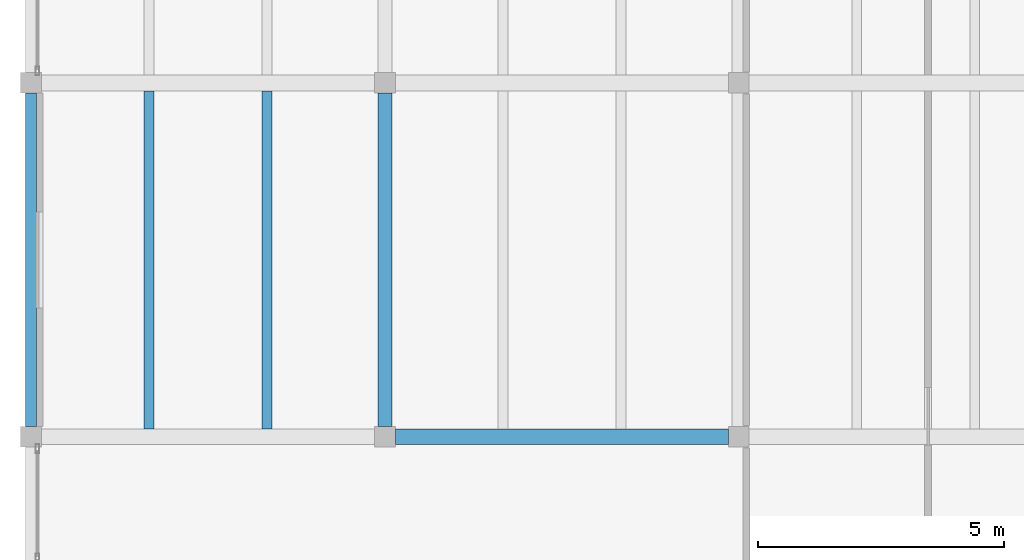
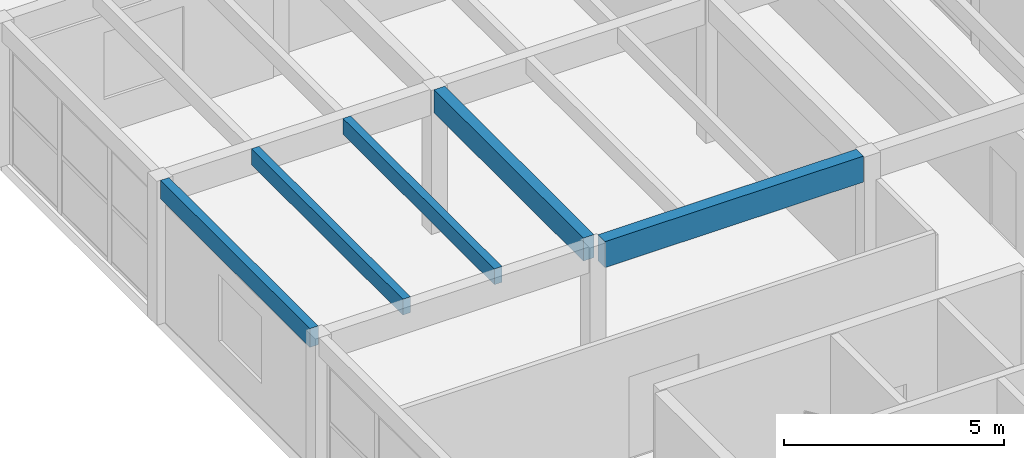
# One storey, part 9 of 68: 5 beams.
"""IFC4 building model written with IfcOpenShell, lengths in metres."""

from ifc_helpers import new_model, si_unit, direction, frame, origin, origin_2d, place, context, subcontext, project, spatial, rectangle, extrude, material, material_profile, profile_set, type_object, element, save


model = new_model("IFC4")

# Units and contexts
model_context = context("Model", 3, precision=1e-05, world=origin(), true_north=direction((0.0, 1.0)))
body_context = subcontext(model_context, "Body", "Model", "MODEL_VIEW")
ifc_project = project(units=[si_unit("LENGTHUNIT", "METRE"), si_unit("AREAUNIT", "SQUARE_METRE"), si_unit("VOLUMEUNIT", "CUBIC_METRE"), si_unit("PLANEANGLEUNIT", "RADIAN"), si_unit("MASSUNIT", "GRAM", prefix="KILO")], contexts=[model_context])

# Site, building, storey
site_placement = place(None, origin())
site = spatial("IfcSite", under=ifc_project, at=site_placement, CompositionType="ELEMENT")
building_placement = place(site_placement, origin())
building = spatial("IfcBuilding", under=site, at=building_placement, Name="Bramvelor Terrace Health Centre", CompositionType="ELEMENT")
storey_placement = place(building_placement, frame((0.0, 0.0, 9.300048828125)))
storey = spatial("IfcBuildingStorey", under=building, at=storey_placement, Name="L03", CompositionType="ELEMENT", Elevation=9.300048828125)

# Beams
ifc_material_1 = material(Name="Glulam GL28h", Category="wood")
ifc_material_profile_1 = material_profile(ifc_material_1, rectangle(XDim=0.280029296875, YDim=0.639892578125, at=origin_2d()), Name="GL 280x640")
ifc_profile_set_1 = profile_set([ifc_material_profile_1], Name="Glulam GL28h")
beam_type_1 = type_object("IfcBeamType", Name="BM-GL-G640", PredefinedType="BEAM", material=ifc_profile_set_1)
beam_1_placement = place(storey_placement, frame((7.199951171875, 43.409912109375, 3.669921875), z_axis=(0.0, 1.0, 0.0), x_axis=(-1.0, 0.0, 0.0)))
element("IfcBeam", 1, at=beam_1_placement, inside=storey, type_object=beam_type_1, Name="L03 Floor Girder", PredefinedType="BEAM", context=body_context, shape_type="SweptSolid", body=[
    extrude(rectangle(XDim=0.280029296875, YDim=0.639892578125, at=origin_2d()), origin(), (0.0, 0.0, 1.0), 6.780029296875),
])
ifc_material_2 = material(Name="Glulam GL28h", Category="wood")
ifc_material_profile_2 = material_profile(ifc_material_2, rectangle(XDim=0.320068359375, YDim=0.719970703125, at=origin_2d()), Name="GL 320x720")
ifc_profile_set_2 = profile_set([ifc_material_profile_2], Name="Glulam GL28h")
beam_type_2 = type_object("IfcBeamType", Name="BM-GL-G720", PredefinedType="BEAM", material=ifc_profile_set_2)
beam_2_placement = place(storey_placement, frame((7.409912109375, 43.199951171875, 3.6298828125), z_axis=(1.0, 0.0, 0.0), x_axis=(0.0, 1.0, 0.0)))
element("IfcBeam", 2, at=beam_2_placement, inside=storey, type_object=beam_type_2, Name="L03 Floor Girder", PredefinedType="BEAM", context=body_context, shape_type="SweptSolid", body=[
    extrude(rectangle(XDim=0.320068359375, YDim=0.719970703125, at=origin_2d()), origin(), (0.0, 0.0, 1.0), 6.780029296875),
])
ifc_material_3 = material(Name="Glulam GL28h", Category="wood")
ifc_material_profile_3 = material_profile(ifc_material_3, rectangle(XDim=0.199951171875, YDim=0.43994140625, at=origin_2d()), Name="GL 200x440")
ifc_profile_set_3 = profile_set([ifc_material_profile_3], Name="Glulam GL28h")
beam_type_3 = type_object("IfcBeamType", Name="BM-GL-J440", PredefinedType="JOIST", material=ifc_profile_set_3)
for number, where, z_axis, x_axis, name in (
    (3, (2.39990234375, 43.360107421875, 3.77001953125), (0.0, 1.0, 0.0), (-1.0, 0.0, 0.0), "L03 Secondary Floor Joist"),
    (4, (4.800048828125, 43.360107421875, 3.77001953125), (0.0, 1.0, 0.0), (-1.0, 0.0, 0.0), "L03 Secondary Floor Joist"),
):
    element("IfcBeam", number, at=place(storey_placement, frame(where, z_axis=z_axis, x_axis=x_axis)), inside=storey, type_object=beam_type_3, Name=name, PredefinedType="JOIST", context=body_context, shape_type="SweptSolid", body=[
        extrude(rectangle(XDim=0.199951171875, YDim=0.43994140625, at=origin_2d()), origin(), (0.0, 0.0, 1.0), 6.8798828125),
    ])
ifc_material_4 = material(Name="Glulam GL28h", Category="wood")
ifc_material_profile_4 = material_profile(ifc_material_4, rectangle(XDim=0.219970703125, YDim=0.52001953125, at=origin_2d()), Name="GL 220x520")
ifc_profile_set_4 = profile_set([ifc_material_profile_4], Name="Glulam GL28h")
beam_type_4 = type_object("IfcBeamType", Name="BM-GL-SP520-EXT", PredefinedType="SPANDREL", material=ifc_profile_set_4)
beam_3_placement = place(storey_placement, frame((0.0, 43.409912109375, 3.72998046875), z_axis=(0.0, 1.0, 0.0), x_axis=(-1.0, 0.0, 0.0)))
element("IfcBeam", 5, at=beam_3_placement, inside=storey, type_object=beam_type_4, Name="L03 Floor Girder", PredefinedType="SPANDREL", context=body_context, shape_type="SweptSolid", body=[
    extrude(rectangle(XDim=0.219970703125, YDim=0.52001953125, at=origin_2d()), origin(), (0.0, 0.0, 1.0), 6.780029296875),
])

save(model, "model.ifc")
